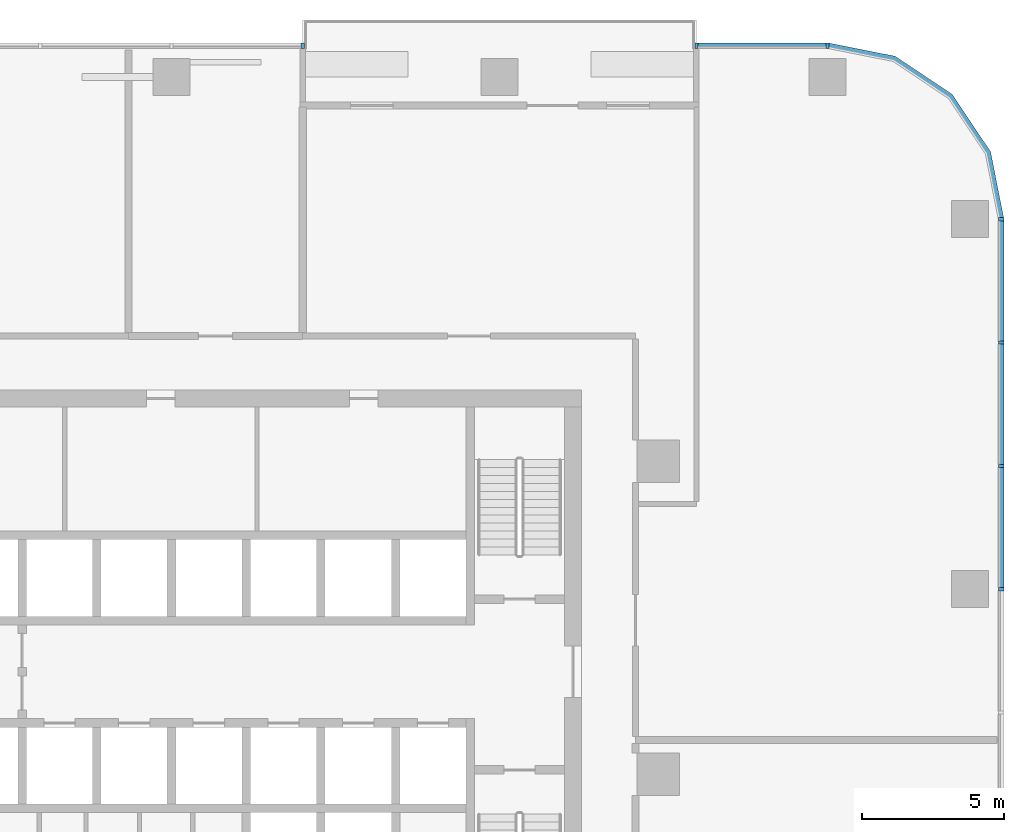
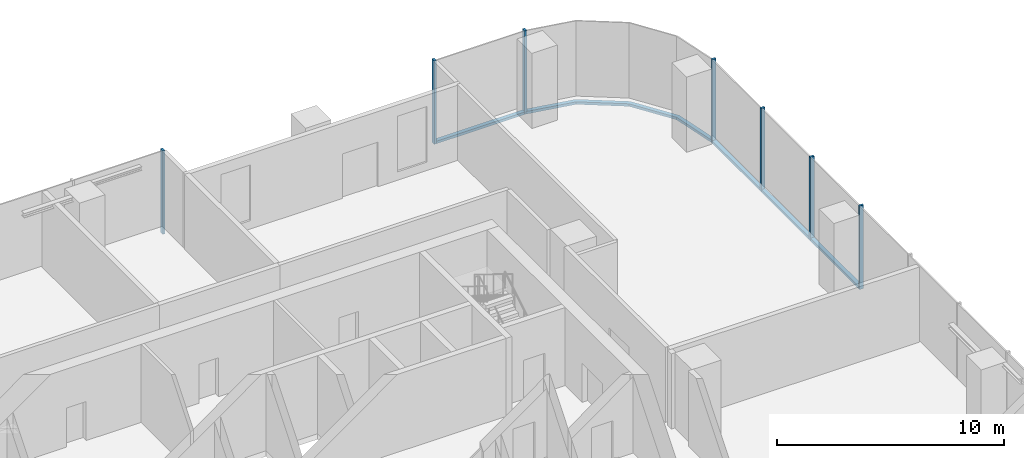
# One storey, part 5 of 15: 12 members, 4 elements without a shape of their own.
"""IFC4 building model written with IfcOpenShell, lengths in metres."""

import ifcopenshell
import ifcopenshell.guid

model = None  # the IFC model being written
_history = None  # IfcOwnerHistory: only IFC2X3 demands one
_inside = {}  # id of a spatial element -> (the spatial element, [elements in it])
_under = {}  # id of a project, library or spatial element -> (it, [spatial elements below it])
_declared = {}  # id of a project -> (the project, [libraries it declares])
_typed = {}  # id of a type object -> (the type object, [elements of that type])
_made_of = {}  # id of a material, layer set ... -> (it, [elements and type objects made of it])


def new_model(schema):
    """Start an empty IFC model of exactly this schema.

    Asked for "IFC4X3", IfcOpenShell would pick the latest addendum, in which some entities
    have other attributes; the version numbers below select the first issue.
    IFC2X3 requires an IfcOwnerHistory on every rooted entity: one is made here for all.
    """
    global model, _history
    if schema == "IFC4X3":
        model = ifcopenshell.file(schema_version=(4, 3, 0, 0))
    else:
        model = ifcopenshell.file(schema=schema)
    _inside.clear()
    _under.clear()
    _declared.clear()
    _typed.clear()
    _made_of.clear()
    _history = None
    if model.schema == "IFC2X3":
        org = make("IfcOrganization", Name="unknown")
        user = make(
            "IfcPersonAndOrganization",
            ThePerson=make("IfcPerson", FamilyName="unknown"),
            TheOrganization=org,
        )
        app = make(
            "IfcApplication",
            ApplicationDeveloper=org,
            Version="unknown",
            ApplicationFullName="unknown",
            ApplicationIdentifier="unknown",
        )
        _history = make(
            "IfcOwnerHistory",
            OwningUser=user,
            OwningApplication=app,
            ChangeAction="ADDED",
            CreationDate=0,
        )
    return model


def make(cls, **values):
    """One entity of the class cls with the attributes given. An attribute that is None is left unset."""
    return model.create_entity(
        cls, **{name: value for name, value in values.items() if value is not None}
    )


def rooted(cls, **values):
    """An entity with a GlobalId (a new one), such as an element, a storey or a relation."""
    return make(cls, GlobalId=ifcopenshell.guid.new(), OwnerHistory=_history, **values)


def si_unit(unit_type, name, prefix=None):
    """IfcSIUnit, for example si_unit("LENGTHUNIT", "METRE", prefix="MILLI")."""
    return make("IfcSIUnit", UnitType=unit_type, Prefix=prefix, Name=name)


def assignment(units):
    """IfcUnitAssignment: the units of a project."""
    return None if units is None else make("IfcUnitAssignment", Units=units)


def point(xyz):
    """IfcCartesianPoint."""
    return None if xyz is None else make("IfcCartesianPoint", Coordinates=xyz)


def direction(xyz):
    """IfcDirection."""
    return None if xyz is None else make("IfcDirection", DirectionRatios=xyz)


def frame(location, z_axis=None, x_axis=None):
    """IfcAxis2Placement3D, a coordinate frame: its origin and axes. An axis left out is left unset."""
    return make(
        "IfcAxis2Placement3D",
        Location=point(location),
        Axis=direction(z_axis),
        RefDirection=direction(x_axis),
    )


def frame_2d(location, x_axis=None):
    """IfcAxis2Placement2D, a coordinate frame in the plane: its origin and x axis."""
    return make(
        "IfcAxis2Placement2D", Location=point(location), RefDirection=direction(x_axis)
    )


def origin():
    """The frame at (0, 0, 0) with its axes left unset."""
    return frame((0.0, 0.0, 0.0))


def origin_2d():
    """The frame at (0, 0) in the plane with its x axis left unset."""
    return frame_2d((0.0, 0.0))


def place(relative_to, where):
    """IfcLocalPlacement: puts the frame where relative to a parent placement (None: the world)."""
    return make(
        "IfcLocalPlacement", PlacementRelTo=relative_to, RelativePlacement=where
    )


def context(
    kind, dimensions, precision=None, world=None, true_north=None, identifier=None
):
    """IfcGeometricRepresentationContext, for example the 3D "Model" context."""
    return make(
        "IfcGeometricRepresentationContext",
        ContextIdentifier=identifier,
        ContextType=kind,
        CoordinateSpaceDimension=dimensions,
        Precision=precision,
        WorldCoordinateSystem=world,
        TrueNorth=true_north,
    )


def subcontext(parent, identifier, kind, view, scale=None):
    """IfcGeometricRepresentationSubContext, for example "Body" below "Model"."""
    return make(
        "IfcGeometricRepresentationSubContext",
        ContextIdentifier=identifier,
        ContextType=kind,
        ParentContext=parent,
        TargetScale=scale,
        TargetView=view,
    )


def project(units=None, contexts=None):
    """IfcProject with its units and contexts."""
    return rooted(
        "IfcProject",
        Name="project",
        RepresentationContexts=contexts,
        UnitsInContext=assignment(units),
    )


def spatial(cls, under=None, at=None, **own):
    """A site, building, storey or space (cls), placed at a placement, below another one or the project."""
    s = rooted(cls, ObjectPlacement=at, **own)
    if under is not None:
        _under.setdefault(under.id(), (under, []))[1].append(s)
    return s


def polyline(points):
    """IfcPolyline through the points."""
    return make("IfcPolyline", Points=[point(p) for p in points])


def profile(cls, at=None, kind="AREA", **sizes):
    """A parametric profile (cls). Its sizes go by their IFC names, for example OverallWidth=200.0."""
    return make(cls, ProfileType=kind, Position=at, **sizes)


def rectangle(**sizes):
    """IfcRectangleProfileDef."""
    return profile("IfcRectangleProfileDef", **sizes)


def outline(outer, holes=None, kind="AREA"):
    """IfcArbitraryClosedProfileDef: a profile drawn as a closed curve; with holes, ...WithVoids."""
    if holes is None:
        return make("IfcArbitraryClosedProfileDef", ProfileType=kind, OuterCurve=outer)
    return make(
        "IfcArbitraryProfileDefWithVoids",
        ProfileType=kind,
        OuterCurve=outer,
        InnerCurves=holes,
    )


def extrude(swept, where, along, depth):
    """IfcExtrudedAreaSolid: the profile swept, set in the frame where, extruded along a direction by depth."""
    return make(
        "IfcExtrudedAreaSolid",
        SweptArea=swept,
        Position=where,
        ExtrudedDirection=direction(along),
        Depth=depth,
    )


def shape(context_of_items, identifier, shape_type, items):
    """IfcShapeRepresentation: the items that make up one representation, for example the "Body"."""
    return make(
        "IfcShapeRepresentation",
        ContextOfItems=context_of_items,
        RepresentationIdentifier=identifier,
        RepresentationType=shape_type,
        Items=items,
    )


def material(Name=None, Category=None):
    """IfcMaterial."""
    return make("IfcMaterial", Name=Name, Category=Category)


def material_profile(
    of_material, cross_section, Name=None, Category=None, Priority=None
):
    """IfcMaterialProfile: a cross section and its material."""
    return make(
        "IfcMaterialProfile",
        Name=Name,
        Material=of_material,
        Profile=cross_section,
        Priority=Priority,
        Category=Category,
    )


def profile_set(profiles, Name=None, composite=None):
    """IfcMaterialProfileSet."""
    return make(
        "IfcMaterialProfileSet",
        Name=Name,
        MaterialProfiles=profiles,
        CompositeProfile=composite,
    )


def made_of(thing, what):
    """Note that an element or type object is made of a material, layer set ...; save() writes the relation."""
    if what is not None:
        _made_of.setdefault(what.id(), (what, []))[1].append(thing)
    return thing


def type_object(cls, material=None, **own):
    """A type object (cls), such as IfcWallType, which elements share."""
    return made_of(rooted(cls, **own), material)


def element(
    cls,
    number,
    at=None,
    inside=None,
    cuts=None,
    type_object=None,
    material=None,
    context=None,
    identifier="Body",
    shape_type=None,
    held_by="IfcProductDefinitionShape",
    body=None,
    shapes=None,
    **own,
):
    """One element of the class cls, such as IfcWall. Its Tag is "e" and its number.

    at: its placement. inside: the storey or other place that contains it. cuts: it is an
    opening in that element (IfcRelVoidsElement). A single representation is given by context,
    identifier, shape_type and body (its items); several are given by shapes. held_by: the class
    of the entity that holds the representations. save() writes the other relations.
    """
    e = rooted(cls, Tag="e%d" % number, ObjectPlacement=at, **own)
    if body is not None:
        shapes = [shape(context, identifier, shape_type, body)]
    if shapes is not None:
        e.Representation = make(held_by, Representations=shapes)
    if inside is not None:
        _inside.setdefault(inside.id(), (inside, []))[1].append(e)
    if cuts is not None:
        rooted(
            "IfcRelVoidsElement", RelatingBuildingElement=cuts, RelatedOpeningElement=e
        )
    if type_object is not None:
        _typed.setdefault(type_object.id(), (type_object, []))[1].append(e)
    return made_of(e, material)


def aggregate(whole, parts):
    """IfcRelAggregates: a whole, such as a stair, and the parts it consists of."""
    return rooted("IfcRelAggregates", RelatingObject=whole, RelatedObjects=parts)


def save(model, path):
    """Write the relations noted so far, then the file.

    IfcRelAggregates (storeys below a building ...), IfcRelContainedInSpatialStructure (elements
    in a storey), IfcRelDefinesByType, IfcRelAssociatesMaterial and IfcRelDeclares: one each for
    every whole, place, type object, material and project.
    """
    for whole, parts in _under.values():
        aggregate(whole, parts)
    for where, things in _inside.values():
        rooted(
            "IfcRelContainedInSpatialStructure",
            RelatedElements=things,
            RelatingStructure=where,
        )
    for kind, things in _typed.values():
        rooted("IfcRelDefinesByType", RelatedObjects=things, RelatingType=kind)
    for what, things in _made_of.values():
        rooted("IfcRelAssociatesMaterial", RelatedObjects=things, RelatingMaterial=what)
    for by, libraries in _declared.values():
        rooted("IfcRelDeclares", RelatingContext=by, RelatedDefinitions=libraries)
    model.write(path)


model = new_model("IFC4")

# Units and contexts
model_context = context("Model", 3, precision=1e-05, world=origin(), true_north=direction((0.0, 1.0)))
body_context = subcontext(model_context, "Body", "Model", "MODEL_VIEW")
ifc_project = project(units=[si_unit("LENGTHUNIT", "METRE"), si_unit("AREAUNIT", "SQUARE_METRE"), si_unit("VOLUMEUNIT", "CUBIC_METRE"), si_unit("PLANEANGLEUNIT", "RADIAN"), si_unit("MASSUNIT", "GRAM", prefix="KILO")], contexts=[model_context])

# Site, building, storey
site_placement = place(None, origin())
site = spatial("IfcSite", under=ifc_project, at=site_placement, CompositionType="ELEMENT")
building_placement = place(site_placement, origin())
building = spatial("IfcBuilding", under=site, at=building_placement, Name="Mopane Tessera Tower", CompositionType="ELEMENT")
storey_placement = place(building_placement, frame((0.0, 0.0, 117.10009765625)))
storey = spatial("IfcBuildingStorey", under=building, at=storey_placement, Name="L23", CompositionType="ELEMENT", Elevation=117.10009765625)

# Curtain wall, members
ifc_material_1 = material(Name="Aluminium frame", Category="aluminium")
curtain_wall_type = type_object("IfcCurtainWallType", Name="Lower tower unitised wall", PredefinedType="NOTDEFINED", material=ifc_material_1)
curtain_wall_1_placement = place(storey_placement, origin())
curtain_wall_1 = element("IfcCurtainWall", 1, at=curtain_wall_1_placement, inside=storey, type_object=curtain_wall_type, Name="e:cw:L23:E:0", PredefinedType="NOTDEFINED")
ifc_material_2 = material(Name="Aluminium frame", Category="aluminium")
ifc_material_profile_1 = material_profile(ifc_material_2, rectangle(XDim=0.110107421875, YDim=0.199951171875, at=origin_2d()))
ifc_profile_set_1 = profile_set([ifc_material_profile_1], Name="Aluminium frame")
member_type_1 = type_object("IfcMemberType", Name="Aluminium mullion 110 x 200", PredefinedType="MULLION", material=ifc_profile_set_1)
member_1_placement = place(storey_placement, frame((29.14990234375, 6.5, -0.4501953125), z_axis=(0.0, 0.0, 1.0), x_axis=(0.0, 1.0, 0.0)))
member_1 = element("IfcMember", 2, at=member_1_placement, type_object=member_type_1, Name="e:cw:L23:E:0:mu6", PredefinedType="MULLION", context=body_context, shape_type="SweptSolid", body=[
    extrude(rectangle(XDim=0.110107421875, YDim=0.199951171875, at=origin_2d()), origin(), (0.0, 0.0, 1.0), 4.5),
])
member_2_placement = place(storey_placement, frame((29.14990234375, 10.833251953125, -0.4501953125), z_axis=(0.0, 0.0, 1.0), x_axis=(0.0, 1.0, 0.0)))
member_2 = element("IfcMember", 3, at=member_2_placement, type_object=member_type_1, Name="e:cw:L23:E:0:mu7", PredefinedType="MULLION", context=body_context, shape_type="SweptSolid", body=[
    extrude(rectangle(XDim=0.110107421875, YDim=0.199951171875, at=origin_2d()), origin(), (0.0, 0.0, 1.0), 4.5),
])
member_3_placement = place(storey_placement, frame((29.14990234375, 15.166748046875, -0.4501953125), z_axis=(0.0, 0.0, 1.0), x_axis=(0.0, 1.0, 0.0)))
member_3 = element("IfcMember", 4, at=member_3_placement, type_object=member_type_1, Name="e:cw:L23:E:0:mu8", PredefinedType="MULLION", context=body_context, shape_type="SweptSolid", body=[
    extrude(rectangle(XDim=0.110107421875, YDim=0.199951171875, at=origin_2d()), origin(), (0.0, 0.0, 1.0), 4.5),
])
member_4_placement = place(storey_placement, frame((29.14990234375, 19.5, -0.4501953125), z_axis=(0.0, 0.0, 1.0), x_axis=(0.0, 1.0, 0.0)))
member_4 = element("IfcMember", 5, at=member_4_placement, type_object=member_type_1, Name="e:cw:L23:E:0:mu9", PredefinedType="MULLION", context=body_context, shape_type="SweptSolid", body=[
    extrude(rectangle(XDim=0.110107421875, YDim=0.199951171875, at=origin_2d()), origin(), (0.0, 0.0, 1.0), 4.5),
])

curtain_wall_2_placement = place(storey_placement, origin())
curtain_wall_2 = element("IfcCurtainWall", 6, at=curtain_wall_2_placement, inside=storey, type_object=curtain_wall_type, Name="e:cw:L23:N:0", PredefinedType="NOTDEFINED")
member_5_placement = place(storey_placement, frame((23.050048828125, 25.60009765625, -0.4501953125), z_axis=(0.0, 0.0, 1.0), x_axis=(-1.0, 0.0, 0.0)))
member_5 = element("IfcMember", 7, at=member_5_placement, type_object=member_type_1, Name="e:cw:L23:N:0:mu0", PredefinedType="MULLION", context=body_context, shape_type="SweptSolid", body=[
    extrude(rectangle(XDim=0.110107421875, YDim=0.199951171875, at=origin_2d()), origin(), (0.0, 0.0, 1.0), 4.5),
])
member_6_placement = place(storey_placement, frame((18.43994140625, 25.60009765625, -0.4501953125), z_axis=(0.0, 0.0, 1.0), x_axis=(-1.0, 0.0, 0.0)))
member_6 = element("IfcMember", 8, at=member_6_placement, type_object=member_type_1, Name="e:cw:L23:N:0:mu1", PredefinedType="MULLION", context=body_context, shape_type="SweptSolid", body=[
    extrude(rectangle(XDim=0.110107421875, YDim=0.199951171875, at=origin_2d()), origin(), (0.0, 0.0, 1.0), 4.5),
])

# Curtain wall, member
curtain_wall_3_placement = place(storey_placement, origin())
curtain_wall_3 = element("IfcCurtainWall", 9, at=curtain_wall_3_placement, inside=storey, type_object=curtain_wall_type, Name="e:cw:L23:N:4", PredefinedType="NOTDEFINED")
member_7_placement = place(storey_placement, frame((4.610107421875, 25.60009765625, -0.4501953125), z_axis=(0.0, 0.0, 1.0), x_axis=(-1.0, 0.0, 0.0)))
member_7 = element("IfcMember", 10, at=member_7_placement, type_object=member_type_1, Name="e:cw:L23:N:4:mu4", PredefinedType="MULLION", context=body_context, shape_type="SweptSolid", body=[
    extrude(rectangle(XDim=0.110107421875, YDim=0.199951171875, at=origin_2d()), origin(), (0.0, 0.0, 1.0), 4.5),
])
aggregate(curtain_wall_3, [member_7])

# Member
ifc_material_3 = material(Name="Aluminium frame", Category="aluminium")
ifc_material_profile_2 = material_profile(ifc_material_3, rectangle(XDim=0.199951171875, YDim=0.139892578125, at=origin_2d()))
ifc_profile_set_2 = profile_set([ifc_material_profile_2], Name="Aluminium frame")
member_type_2 = type_object("IfcMemberType", Name="Aluminium transom 200 x 140", PredefinedType="USERDEFINED", material=ifc_profile_set_2)
member_8_placement = place(storey_placement, frame((29.14990234375, 6.554931640625, -0.380126953125), z_axis=(0.0, 1.0, 0.0), x_axis=(-1.0, 0.0, 0.0)))
member_8 = element("IfcMember", 11, at=member_8_placement, type_object=member_type_2, Name="e:cw:L23:E:0:tr6", ObjectType="TRANSOM", PredefinedType="USERDEFINED", context=body_context, shape_type="SweptSolid", body=[
    extrude(rectangle(XDim=0.199951171875, YDim=0.139892578125, at=origin_2d()), origin(), (0.0, 0.0, 1.0), 4.223388671875),
])

member_9_placement = place(storey_placement, frame((29.14990234375, 10.888427734375, -0.380126953125), z_axis=(0.0, 1.0, 0.0), x_axis=(-1.0, 0.0, 0.0)))
member_9 = element("IfcMember", 12, at=member_9_placement, type_object=member_type_2, Name="e:cw:L23:E:0:tr7", ObjectType="TRANSOM", PredefinedType="USERDEFINED", context=body_context, shape_type="SweptSolid", body=[
    extrude(rectangle(XDim=0.199951171875, YDim=0.139892578125, at=origin_2d()), origin(), (0.0, 0.0, 1.0), 4.22314453125),
])

member_10_placement = place(storey_placement, frame((29.14990234375, 15.2216796875, -0.380126953125), z_axis=(0.0, 1.0, 0.0), x_axis=(-1.0, 0.0, 0.0)))
member_10 = element("IfcMember", 13, at=member_10_placement, type_object=member_type_2, Name="e:cw:L23:E:0:tr8", ObjectType="TRANSOM", PredefinedType="USERDEFINED", context=body_context, shape_type="SweptSolid", body=[
    extrude(rectangle(XDim=0.199951171875, YDim=0.139892578125, at=origin_2d()), origin(), (0.0, 0.0, 1.0), 4.223388671875),
])

aggregate(curtain_wall_1, [member_1, member_2, member_3, member_4, member_8, member_9, member_10])

# Curtain wall, member
curtain_wall_4_placement = place(storey_placement, origin())
curtain_wall_4 = element("IfcCurtainWall", 14, at=curtain_wall_4_placement, inside=storey, type_object=curtain_wall_type, Name="e:cw:L23:CE", PredefinedType="NOTDEFINED")
member_11_placement = place(storey_placement, frame((0.0, 0.0, -0.4501953125)))
member_11 = element("IfcMember", 15, at=member_11_placement, type_object=member_type_2, Name="e:cw:L23:CE:tr", ObjectType="TRANSOM", PredefinedType="USERDEFINED", context=body_context, shape_type="SweptSolid", body=[
    extrude(outline(polyline([(29.050048828125, 19.5), (28.59326171875, 21.796142578125), (27.292724609375, 23.74267578125), (25.34619140625, 25.043212890625), (23.050048828125, 25.5), (23.050048828125, 25.699951171875), (25.422607421875, 25.22802734375), (27.43408203125, 23.884033203125), (28.778076171875, 21.87255859375), (29.25, 19.5), (29.050048828125, 19.5)])), origin(), (0.0, 0.0, 1.0), 0.14013671875),
])
aggregate(curtain_wall_4, [member_11])

# Member
member_12_placement = place(storey_placement, frame((22.9951171875, 25.60009765625, -0.380126953125), z_axis=(-1.0, 0.0, 0.0), x_axis=(0.0, -1.0, 0.0)))
member_12 = element("IfcMember", 16, at=member_12_placement, type_object=member_type_2, Name="e:cw:L23:N:0:tr0", ObjectType="TRANSOM", PredefinedType="USERDEFINED", context=body_context, shape_type="SweptSolid", body=[
    extrude(rectangle(XDim=0.199951171875, YDim=0.139892578125, at=origin_2d()), origin(), (0.0, 0.0, 1.0), 4.5),
])

aggregate(curtain_wall_2, [member_5, member_6, member_12])

save(model, "model.ifc")
